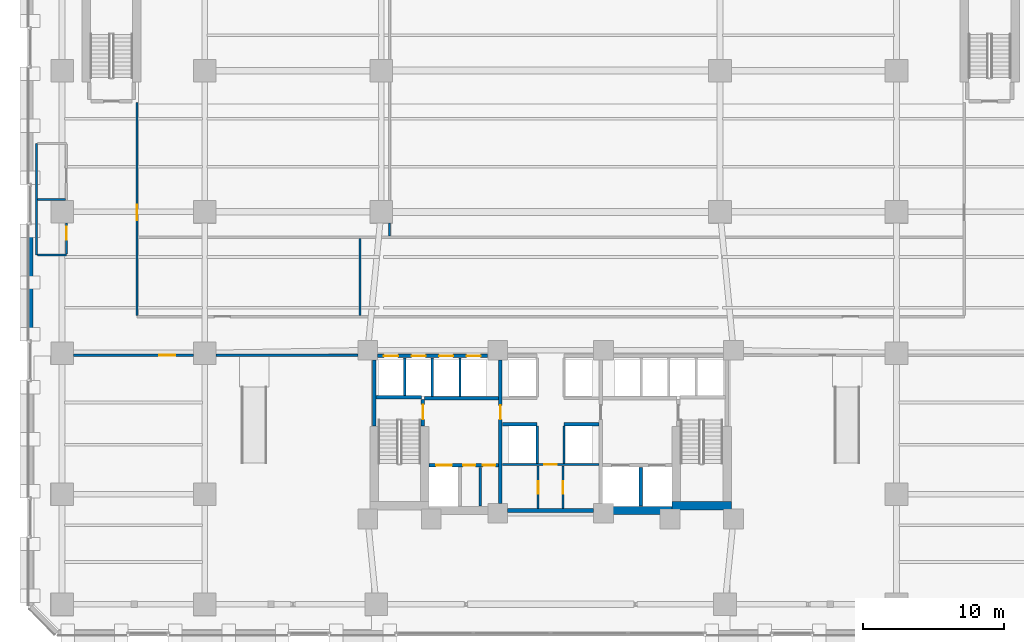
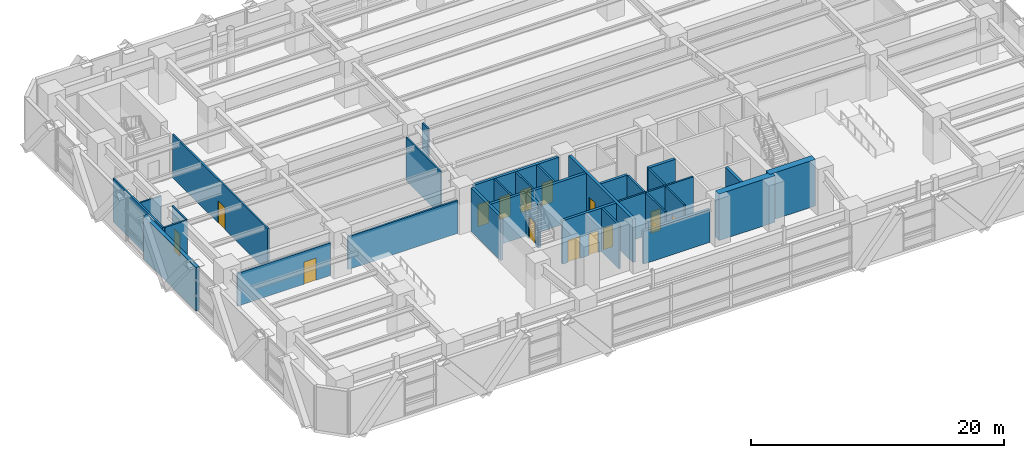
# One storey, part 14 of 26: 32 walls, 15 doors, 15 openings.
"""IFC4 building model written with IfcOpenShell, lengths in metres."""

from ifc_helpers import new_model, si_unit, direction, frame, frame_2d, origin, place, context, subcontext, project, spatial, rectangle, extrude, material, layer, layer_set, type_object, element, fill, save


model = new_model("IFC4")

# Units and contexts
model_context = context("Model", 3, precision=1e-05, world=origin(), true_north=direction((0.0, 1.0)))
body_context = subcontext(model_context, "Body", "Model", "MODEL_VIEW")
ifc_project = project(units=[si_unit("LENGTHUNIT", "METRE"), si_unit("AREAUNIT", "SQUARE_METRE"), si_unit("VOLUMEUNIT", "CUBIC_METRE"), si_unit("PLANEANGLEUNIT", "RADIAN"), si_unit("MASSUNIT", "GRAM", prefix="KILO")], contexts=[model_context])

# Site, building, storey
site_placement = place(None, origin())
site = spatial("IfcSite", under=ifc_project, at=site_placement, CompositionType="ELEMENT")
building_placement = place(site_placement, origin())
building = spatial("IfcBuilding", under=site, at=building_placement, Name="Quenlor Broadcast Tower", CompositionType="ELEMENT")
storey_placement = place(building_placement, frame((0.0, 0.0, 5.0)))
storey = spatial("IfcBuildingStorey", under=building, at=storey_placement, Name="L01", CompositionType="ELEMENT", Elevation=5.0)

# Wall, opening, door
ifc_material_1 = material(Name="Acoustic Double Stud Gypsum Partition", Category="other")
ifc_layer_1 = layer(ifc_material_1, 0.14990234375)
ifc_layer_set_1 = layer_set([ifc_layer_1], Name="Broadcast Studio Acoustic Partition 150")
wall_type_1 = type_object("IfcWallType", Name="Broadcast Studio Acoustic Partition 150", PredefinedType="PARTITIONING", material=ifc_layer_set_1)
wall_1_placement = place(storey_placement, frame((-0.8798828125, -16.02001953125, 0.0), z_axis=(0.0, 0.0, 1.0), x_axis=(0.0, 1.0, 0.0)))
wall_1 = element("IfcWall", 1, at=wall_1_placement, inside=storey, type_object=wall_type_1, Name="L01 Interior Wall CW-CSV-W3", PredefinedType="PARTITIONING", context=body_context, shape_type="SweptSolid", body=[
    extrude(rectangle(XDim=3.0380859375, YDim=0.14990234375, at=frame_2d((1.51904296875, 0.0))), origin(), (0.0, 0.0, 1.0), 4.199951171875),
])
opening_1_placement = place(wall_1_placement, frame((1.050048828125, 0.0, 0.0)))
opening_1 = element("IfcOpeningElement", 2, at=opening_1_placement, cuts=wall_1, Name="Opening ID-4", PredefinedType="OPENING", context=body_context, shape_type="SweptSolid", body=[
    extrude(rectangle(XDim=0.8798828125, YDim=2.1201171875, at=frame_2d((0.43994140625, 1.06005859375))), frame((0.0, 0.0849609375, 0.0), z_axis=(0.0, -1.0, 0.0), x_axis=(1.0, 0.0, 0.0)), (0.0, 0.0, 1.0), 0.169921875),
])
ifc_material_2 = material(Name="Solid Core Timber Oak", Category="wood")
door_type_1 = type_object("IfcDoorType", Name="Service Closet Timber Door 880x2120", OperationType="NOTDEFINED", PredefinedType="DOOR", material=ifc_material_2)
door_1_placement = place(opening_1_placement, origin())
door_1 = element("IfcDoor", 3, at=door_1_placement, inside=storey, type_object=door_type_1, Name="L01 Door DR-CSV1", OperationType="SINGLE_SWING_LEFT", OverallHeight=2.1201171875, OverallWidth=0.8798828125, PredefinedType="DOOR", context=body_context, shape_type="SweptSolid", body=[
    extrude(rectangle(XDim=0.8798828125, YDim=2.1201171875, at=frame_2d((0.43994140625, 1.06005859375))), frame((0.0, 0.02490234375, 0.0), z_axis=(0.0, -1.0, 0.0), x_axis=(1.0, 0.0, 0.0)), (0.0, 0.0, 1.0), 0.050048828125),
])
fill(opening_1, door_1)

wall_2_placement = place(storey_placement, frame((0.8798828125, -16.02001953125, 0.0), z_axis=(0.0, 0.0, 1.0), x_axis=(0.0, 1.0, 0.0)))
wall_2 = element("IfcWall", 4, at=wall_2_placement, inside=storey, type_object=wall_type_1, Name="L01 Interior Wall CW-CSV-E3", PredefinedType="PARTITIONING", context=body_context, shape_type="SweptSolid", body=[
    extrude(rectangle(XDim=3.0380859375, YDim=0.14990234375, at=frame_2d((1.51904296875, 0.0))), origin(), (0.0, 0.0, 1.0), 4.199951171875),
])
opening_2_placement = place(wall_2_placement, frame((1.050048828125, 0.0, 0.0)))
opening_2 = element("IfcOpeningElement", 5, at=opening_2_placement, cuts=wall_2, Name="Opening ID-4", PredefinedType="OPENING", context=body_context, shape_type="SweptSolid", body=[
    extrude(rectangle(XDim=0.8798828125, YDim=2.1201171875, at=frame_2d((0.43994140625, 1.06005859375))), frame((0.0, 0.0849609375, 0.0), z_axis=(0.0, -1.0, 0.0), x_axis=(1.0, 0.0, 0.0)), (0.0, 0.0, 1.0), 0.169921875),
])
door_2_placement = place(opening_2_placement, origin())
door_2 = element("IfcDoor", 6, at=door_2_placement, inside=storey, type_object=door_type_1, Name="L01 Door DR-CSV2", OperationType="SINGLE_SWING_RIGHT", OverallHeight=2.1201171875, OverallWidth=0.8798828125, PredefinedType="DOOR", context=body_context, shape_type="SweptSolid", body=[
    extrude(rectangle(XDim=0.8798828125, YDim=2.1201171875, at=frame_2d((0.43994140625, 1.06005859375))), frame((0.0, 0.02490234375, 0.0), z_axis=(0.0, -1.0, 0.0), x_axis=(1.0, 0.0, 0.0)), (0.0, 0.0, 1.0), 0.050048828125),
])
fill(opening_2, door_2)

wall_3_placement = place(storey_placement, frame((-29.300048828125, -2.337890625, 0.0), z_axis=(0.0, 0.0, 1.0), x_axis=(0.0, 1.0, 0.0)))
wall_3 = element("IfcWall", 7, at=wall_3_placement, inside=storey, type_object=wall_type_1, Name="L01 Interior Wall PW-PD-LW", PredefinedType="PARTITIONING", context=body_context, shape_type="SweptSolid", body=[
    extrude(rectangle(XDim=15.087890625, YDim=0.14990234375, at=frame_2d((7.5439453125, 0.0))), origin(), (0.0, 0.0, 1.0), 4.199951171875),
])
opening_3_placement = place(wall_3_placement, frame((6.738037109375, 0.0, 0.0)))
opening_3 = element("IfcOpeningElement", 8, at=opening_3_placement, cuts=wall_3, Name="Opening ID-2", PredefinedType="OPENING", context=body_context, shape_type="SweptSolid", body=[
    extrude(rectangle(XDim=1.10009765625, YDim=2.14990234375, at=frame_2d((0.550048828125, 1.074951171875))), frame((0.0, 0.0849609375, 0.0), z_axis=(0.0, -1.0, 0.0), x_axis=(1.0, 0.0, 0.0)), (0.0, 0.0, 1.0), 0.169921875),
])
ifc_material_3 = material(Name="Acoustic Laminated Timber Oak", Category="wood")
door_type_2 = type_object("IfcDoorType", Name="Wide Studio Acoustic Timber Door 1100x2150", OperationType="NOTDEFINED", PredefinedType="DOOR", material=ifc_material_3)
door_3_placement = place(opening_3_placement, origin())
door_3 = element("IfcDoor", 9, at=door_3_placement, inside=storey, type_object=door_type_2, Name="L01 Door DR-PD5", OperationType="SINGLE_SWING_LEFT", OverallHeight=2.14990234375, OverallWidth=1.10009765625, PredefinedType="DOOR", context=body_context, shape_type="SweptSolid", body=[
    extrude(rectangle(XDim=1.10009765625, YDim=2.14990234375, at=frame_2d((0.550048828125, 1.074951171875))), frame((0.0, 0.02490234375, 0.0), z_axis=(0.0, -1.0, 0.0), x_axis=(1.0, 0.0, 0.0)), (0.0, 0.0, 1.0), 0.050048828125),
])
fill(opening_3, door_3)

# Walls
wall_4_placement = place(storey_placement, frame((-13.5, -2.337890625, 0.0), z_axis=(0.0, 0.0, 1.0), x_axis=(0.0, 1.0, 0.0)))
element("IfcWall", 10, at=wall_4_placement, inside=storey, type_object=wall_type_1, Name="L01 Interior Wall PW-PD-VX", PredefinedType="PARTITIONING", context=body_context, shape_type="SweptSolid", body=[
    extrude(rectangle(XDim=5.4580078125, YDim=0.14990234375, at=frame_2d((2.72900390625, 0.0))), origin(), (0.0, 0.0, 1.0), 4.199951171875),
])
wall_5_placement = place(storey_placement, frame((-36.419921875, 1.949951171875, 0.0), z_axis=(0.0, 0.0, 1.0), x_axis=(0.0, 1.0, 0.0)))
element("IfcWall", 11, at=wall_5_placement, inside=storey, type_object=wall_type_1, Name="L01 Interior Wall PW-PD-WCW", PredefinedType="PARTITIONING", context=body_context, shape_type="SweptSolid", body=[
    extrude(rectangle(XDim=7.900146484375, YDim=0.14990234375, at=frame_2d((3.9501953125, 0.0))), origin(), (0.0, 0.0, 1.0), 4.199951171875),
])

# Wall, opening, door
wall_6_placement = place(storey_placement, frame((-34.280029296875, 2.010009765625, 0.0), z_axis=(0.0, 0.0, 1.0), x_axis=(0.0, 1.0, 0.0)))
wall_6 = element("IfcWall", 12, at=wall_6_placement, inside=storey, type_object=wall_type_1, Name="L01 Interior Wall PW-PD-WCE", PredefinedType="PARTITIONING", context=body_context, shape_type="SweptSolid", body=[
    extrude(rectangle(XDim=2.18798828125, YDim=0.14990234375, at=frame_2d((1.093994140625, 0.0))), origin(), (0.0, 0.0, 1.0), 4.199951171875),
])
opening_4_placement = place(wall_6_placement, frame((1.02001953125, 0.0, 0.0)))
opening_4 = element("IfcOpeningElement", 13, at=opening_4_placement, cuts=wall_6, Name="Opening ID-3", PredefinedType="OPENING", context=body_context, shape_type="SweptSolid", body=[
    extrude(rectangle(XDim=0.89990234375, YDim=2.1201171875, at=frame_2d((0.449951171875, 1.06005859375))), frame((0.0, 0.0849609375, 0.0), z_axis=(0.0, -1.0, 0.0), x_axis=(1.0, 0.0, 0.0)), (0.0, 0.0, 1.0), 0.169921875),
])
ifc_material_4 = material(Name="Moisture Resistant Timber Oak", Category="wood")
door_type_3 = type_object("IfcDoorType", Name="Washroom Privacy Door 900x2120", OperationType="NOTDEFINED", PredefinedType="DOOR", material=ifc_material_4)
door_4_placement = place(opening_4_placement, origin())
door_4 = element("IfcDoor", 14, at=door_4_placement, inside=storey, type_object=door_type_3, Name="L01 Door DR-PD-MWC", OperationType="SINGLE_SWING_LEFT", OverallHeight=2.1201171875, OverallWidth=0.89990234375, PredefinedType="DOOR", context=body_context, shape_type="SweptSolid", body=[
    extrude(rectangle(XDim=0.89990234375, YDim=2.1201171875, at=frame_2d((0.449951171875, 1.06005859375))), frame((0.0, 0.02490234375, 0.0), z_axis=(0.0, -1.0, 0.0), x_axis=(1.0, 0.0, 0.0)), (0.0, 0.0, 1.0), 0.050048828125),
])
fill(opening_4, door_4)

# Walls
wall_7_placement = place(storey_placement, frame((-36.343017578125, 5.8798828125, 0.0), z_axis=(0.0, 0.0, 1.0), x_axis=(1.0, 0.0, 0.0)))
element("IfcWall", 15, at=wall_7_placement, inside=storey, type_object=wall_type_1, Name="L01 Interior Wall PW-PD-WCM", PredefinedType="PARTITIONING", context=body_context, shape_type="SweptSolid", body=[
    extrude(rectangle(XDim=1.986083984375, YDim=0.14990234375, at=frame_2d((0.9931640625, 0.0))), origin(), (0.0, 0.0, 1.0), 4.199951171875),
])
wall_8_placement = place(storey_placement, frame((-36.343017578125, 1.949951171875, 0.0), z_axis=(0.0, 0.0, 1.0), x_axis=(1.0, 0.0, 0.0)))
element("IfcWall", 16, at=wall_8_placement, inside=storey, type_object=wall_type_1, Name="L01 Interior Wall PW-PD-WCS", PredefinedType="PARTITIONING", context=body_context, shape_type="SweptSolid", body=[
    extrude(rectangle(XDim=2.06298828125, YDim=0.14990234375, at=frame_2d((1.031494140625, 0.0))), origin(), (0.0, 0.0, 1.0), 4.199951171875),
])
wall_9_placement = place(storey_placement, frame((-11.39990234375, 3.280029296875, 0.0), z_axis=(0.0, 0.0, 1.0), x_axis=(0.0, 1.0, 0.0)))
element("IfcWall", 17, at=wall_9_placement, inside=storey, type_object=wall_type_1, Name="L01 Interior Wall PW-PD-VX2", PredefinedType="PARTITIONING", context=body_context, shape_type="SweptSolid", body=[
    extrude(rectangle(XDim=0.91796875, YDim=0.14990234375, at=frame_2d((0.458984375, 0.0))), origin(), (0.0, 0.0, 1.0), 4.199951171875),
])
ifc_material_5 = material(Name="Concrete C65/80", Category="concrete")
ifc_layer_2 = layer(ifc_material_5, 0.60009765625)
ifc_layer_set_2 = layer_set([ifc_layer_2], Name="Core Concrete C65/80 Shear Wall 600")
wall_type_2 = type_object("IfcWallType", Name="Core Concrete C65/80 Shear Wall 600", PredefinedType="SHEAR", material=ifc_layer_set_2)
wall_10_placement = place(storey_placement, frame((3.75, -16.14990234375, 0.0), z_axis=(0.0, 0.0, 1.0), x_axis=(1.0, 0.0, 0.0)))
element("IfcWall", 18, at=wall_10_placement, inside=storey, type_object=wall_type_2, Name="L01 Core Shear Wall WS-E1", PredefinedType="SHEAR", context=body_context, shape_type="SweptSolid", body=[
    extrude(rectangle(XDim=5.14990234375, YDim=0.60009765625, at=frame_2d((2.574951171875, 0.0))), origin(), (0.0, 0.0, 1.0), 4.5),
])
wall_11_placement = place(storey_placement, frame((8.60009765625, -15.800048828125, 0.0), z_axis=(0.0, 0.0, 1.0), x_axis=(1.0, 0.0, 0.0)))
element("IfcWall", 19, at=wall_11_placement, inside=storey, type_object=wall_type_2, Name="L01 Core Shear Wall WS-E2", PredefinedType="SHEAR", context=body_context, shape_type="SweptSolid", body=[
    extrude(rectangle(XDim=4.199951171875, YDim=0.60009765625, at=frame_2d((2.10009765625, 0.0))), origin(), (0.0, 0.0, 1.0), 4.5),
])

# Wall, opening, door
ifc_material_6 = material(Name="Concrete C40/50", Category="concrete")
ifc_layer_3 = layer(ifc_material_6, 0.25)
ifc_layer_set_3 = layer_set([ifc_layer_3], Name="Fire Rated Concrete C40/50 Core Wall 250")
wall_type_3 = type_object("IfcWallType", Name="Fire Rated Concrete C40/50 Core Wall 250", PredefinedType="PARTITIONING", material=ifc_layer_set_3)
wall_12_placement = place(storey_placement, frame((-9.0400390625, -10.179931640625, 0.0), z_axis=(0.0, 0.0, 1.0), x_axis=(0.0, 1.0, 0.0)))
wall_12 = element("IfcWall", 20, at=wall_12_placement, inside=storey, type_object=wall_type_3, Name="L01 Interior Wall CW-ST1-DR", PredefinedType="PARTITIONING", context=body_context, shape_type="SweptSolid", body=[
    extrude(rectangle(XDim=1.89990234375, YDim=0.25, at=frame_2d((0.949951171875, 0.0))), origin(), (0.0, 0.0, 1.0), 4.199951171875),
])
opening_5_placement = place(wall_12_placement, frame((0.47998046875, 0.0, 0.0)))
opening_5 = element("IfcOpeningElement", 21, at=opening_5_placement, cuts=wall_12, Name="Opening FD-1", PredefinedType="OPENING", context=body_context, shape_type="SweptSolid", body=[
    extrude(rectangle(XDim=1.050048828125, YDim=2.14990234375, at=frame_2d((0.52490234375, 1.074951171875))), frame((0.0, 0.135009765625, 0.0), z_axis=(0.0, -1.0, 0.0), x_axis=(1.0, 0.0, 0.0)), (0.0, 0.0, 1.0), 0.27001953125),
])
ifc_material_7 = material(Name="Fire Rated Steel Door Leaf", Category="steel")
door_type_4 = type_object("IfcDoorType", Name="Fire Isolated Stair Door 1050x2150", OperationType="NOTDEFINED", PredefinedType="DOOR", material=ifc_material_7)
door_5_placement = place(opening_5_placement, origin())
door_5 = element("IfcDoor", 22, at=door_5_placement, inside=storey, type_object=door_type_4, Name="L01 Door DR-ST1", OperationType="SINGLE_SWING_LEFT", OverallHeight=2.14990234375, OverallWidth=1.050048828125, PredefinedType="DOOR", context=body_context, shape_type="SweptSolid", body=[
    extrude(rectangle(XDim=1.050048828125, YDim=2.14990234375, at=frame_2d((0.52490234375, 1.074951171875))), frame((0.0, 0.02490234375, 0.0), z_axis=(0.0, -1.0, 0.0), x_axis=(1.0, 0.0, 0.0)), (0.0, 0.0, 1.0), 0.050048828125),
])
fill(opening_5, door_5)

# Walls
wall_13_placement = place(storey_placement, frame((-12.3798828125, -8.1201171875, 0.0), z_axis=(0.0, 0.0, 1.0), x_axis=(1.0, 0.0, 0.0)))
element("IfcWall", 23, at=wall_13_placement, inside=storey, type_object=wall_type_3, Name="L01 Interior Wall CW-ST1-N", PredefinedType="PARTITIONING", context=body_context, shape_type="SweptSolid", body=[
    extrude(rectangle(XDim=3.219970703125, YDim=0.25, at=frame_2d((1.60986328125, 0.0))), origin(), (0.0, 0.0, 1.0), 4.199951171875),
])
wall_14_placement = place(storey_placement, frame((-12.47998046875, -10.179931640625, 0.0), z_axis=(0.0, 0.0, 1.0), x_axis=(0.0, 1.0, 0.0)))
element("IfcWall", 24, at=wall_14_placement, inside=storey, type_object=wall_type_3, Name="L01 Interior Wall CW-ST1-W2", PredefinedType="PARTITIONING", context=body_context, shape_type="SweptSolid", body=[
    extrude(rectangle(XDim=4.677978515625, YDim=0.25, at=frame_2d((2.3388671875, 0.0))), origin(), (0.0, 0.0, 1.0), 4.199951171875),
])

# Wall, openings, doors
wall_15_placement = place(storey_placement, frame((-8.597900390625, -12.949951171875, 0.0), z_axis=(0.0, 0.0, 1.0), x_axis=(1.0, 0.0, 0.0)))
wall_15 = element("IfcWall", 25, at=wall_15_placement, inside=storey, type_object=wall_type_3, Name="L01 Interior Wall CW-FFW-S", PredefinedType="PARTITIONING", context=body_context, shape_type="SweptSolid", body=[
    extrude(rectangle(XDim=4.91796875, YDim=0.25, at=frame_2d((2.458984375, 0.0))), origin(), (0.0, 0.0, 1.0), 4.199951171875),
])
opening_6_placement = place(wall_15_placement, frame((0.498046875, 0.0, 0.0)))
opening_6 = element("IfcOpeningElement", 26, at=opening_6_placement, cuts=wall_15, Name="Opening LD-FFL-1", PredefinedType="OPENING", context=body_context, shape_type="SweptSolid", body=[
    extrude(rectangle(XDim=1.10009765625, YDim=2.14990234375, at=frame_2d((0.550048828125, 1.074951171875))), frame((0.0, 0.135009765625, 0.0), z_axis=(0.0, -1.0, 0.0), x_axis=(1.0, 0.0, 0.0)), (0.0, 0.0, 1.0), 0.27001953125),
])
opening_7_placement = place(wall_15_placement, frame((2.39794921875, 0.0, 0.0)))
opening_7 = element("IfcOpeningElement", 27, at=opening_7_placement, cuts=wall_15, Name="Opening TD-1", PredefinedType="OPENING", context=body_context, shape_type="SweptSolid", body=[
    extrude(rectangle(XDim=0.8798828125, YDim=2.10009765625, at=frame_2d((0.43994140625, 1.050048828125))), frame((0.0, 0.135009765625, 0.0), z_axis=(0.0, -1.0, 0.0), x_axis=(1.0, 0.0, 0.0)), (0.0, 0.0, 1.0), 0.27001953125),
])
opening_8_placement = place(wall_15_placement, frame((3.798095703125, 0.0, 0.0)))
opening_8 = element("IfcOpeningElement", 28, at=opening_8_placement, cuts=wall_15, Name="Opening TD-1", PredefinedType="OPENING", context=body_context, shape_type="SweptSolid", body=[
    extrude(rectangle(XDim=0.8798828125, YDim=2.10009765625, at=frame_2d((0.43994140625, 1.050048828125))), frame((0.0, 0.135009765625, 0.0), z_axis=(0.0, -1.0, 0.0), x_axis=(1.0, 0.0, 0.0)), (0.0, 0.0, 1.0), 0.27001953125),
])
ifc_material_8 = material(Name="Brushed Stainless Steel", Category="steel")
door_type_5 = type_object("IfcDoorType", Name="Emergency Lift Sliding Landing Door 1100x2150", OperationType="NOTDEFINED", PredefinedType="DOOR", material=ifc_material_8)
door_6_placement = place(opening_6_placement, origin())
door_6 = element("IfcDoor", 29, at=door_6_placement, inside=storey, type_object=door_type_5, Name="L01 Door LD-FFL-1", OperationType="SLIDING_TO_LEFT", OverallHeight=2.14990234375, OverallWidth=1.10009765625, PredefinedType="DOOR", context=body_context, shape_type="SweptSolid", body=[
    extrude(rectangle(XDim=1.10009765625, YDim=2.14990234375, at=frame_2d((0.550048828125, 1.074951171875))), frame((0.0, 0.02490234375, 0.0), z_axis=(0.0, -1.0, 0.0), x_axis=(1.0, 0.0, 0.0)), (0.0, 0.0, 1.0), 0.050048828125),
])
fill(opening_6, door_6)
ifc_material_9 = material(Name="Fire Rated Steel Access Panel", Category="steel")
door_type_6 = type_object("IfcDoorType", Name="Riser Shaft Rated Access Trapdoor 880x2100", OperationType="NOTDEFINED", PredefinedType="TRAPDOOR", material=ifc_material_9)
door_7_placement = place(opening_7_placement, origin())
door_7 = element("IfcDoor", 30, at=door_7_placement, inside=storey, type_object=door_type_6, Name="L01 Door DR-ELR", OperationType="SINGLE_SWING_LEFT", OverallHeight=2.10009765625, OverallWidth=0.8798828125, PredefinedType="TRAPDOOR", context=body_context, shape_type="SweptSolid", body=[
    extrude(rectangle(XDim=0.8798828125, YDim=2.10009765625, at=frame_2d((0.43994140625, 1.050048828125))), frame((0.0, 0.02490234375, 0.0), z_axis=(0.0, -1.0, 0.0), x_axis=(1.0, 0.0, 0.0)), (0.0, 0.0, 1.0), 0.050048828125),
])
fill(opening_7, door_7)
door_8_placement = place(opening_8_placement, origin())
door_8 = element("IfcDoor", 31, at=door_8_placement, inside=storey, type_object=door_type_6, Name="L01 Door DR-CMR", OperationType="SINGLE_SWING_RIGHT", OverallHeight=2.10009765625, OverallWidth=0.8798828125, PredefinedType="TRAPDOOR", context=body_context, shape_type="SweptSolid", body=[
    extrude(rectangle(XDim=0.8798828125, YDim=2.10009765625, at=frame_2d((0.43994140625, 1.050048828125))), frame((0.0, 0.02490234375, 0.0), z_axis=(0.0, -1.0, 0.0), x_axis=(1.0, 0.0, 0.0)), (0.0, 0.0, 1.0), 0.050048828125),
])
fill(opening_8, door_8)

# Walls
wall_16_placement = place(storey_placement, frame((6.39990234375, -15.847900390625, 0.0), z_axis=(0.0, 0.0, 1.0), x_axis=(0.0, 1.0, 0.0)))
element("IfcWall", 32, at=wall_16_placement, inside=storey, type_object=wall_type_3, Name="L01 Interior Wall CW-SV1-E", PredefinedType="PARTITIONING", context=body_context, shape_type="SweptSolid", body=[
    extrude(rectangle(XDim=2.7578125, YDim=0.25, at=frame_2d((1.37890625, 0.0))), origin(), (0.0, 0.0, 1.0), 4.199951171875),
])
wall_17_placement = place(storey_placement, frame((-8.919921875, -8.199951171875, 0.0), z_axis=(0.0, 0.0, 1.0), x_axis=(1.0, 0.0, 0.0)))
element("IfcWall", 33, at=wall_17_placement, inside=storey, type_object=wall_type_3, Name="L01 Interior Wall CW-FFW-N", PredefinedType="PARTITIONING", context=body_context, shape_type="SweptSolid", body=[
    extrude(rectangle(XDim=5.239990234375, YDim=0.25, at=frame_2d((2.6201171875, 0.0))), origin(), (0.0, 0.0, 1.0), 4.199951171875),
])

# Wall, opening, door
wall_18_placement = place(storey_placement, frame((-3.550048828125, -15.64794921875, 0.0), z_axis=(0.0, 0.0, 1.0), x_axis=(0.0, 1.0, 0.0)))
wall_18 = element("IfcWall", 34, at=wall_18_placement, inside=storey, type_object=wall_type_3, Name="L01 Interior Wall CW-FFW-E", PredefinedType="PARTITIONING", context=body_context, shape_type="SweptSolid", body=[
    extrude(rectangle(XDim=10.14599609375, YDim=0.25, at=frame_2d((5.072998046875, 0.0))), origin(), (0.0, 0.0, 1.0), 4.199951171875),
])
opening_9_placement = place(wall_18_placement, frame((5.947998046875, 0.0, 0.0)))
opening_9 = element("IfcOpeningElement", 35, at=opening_9_placement, cuts=wall_18, Name="Opening FD-2", PredefinedType="OPENING", context=body_context, shape_type="SweptSolid", body=[
    extrude(rectangle(XDim=1.0, YDim=2.14990234375, at=frame_2d((0.5, 1.074951171875))), frame((0.0, 0.135009765625, 0.0), z_axis=(0.0, -1.0, 0.0), x_axis=(1.0, 0.0, 0.0)), (0.0, 0.0, 1.0), 0.27001953125),
])
ifc_material_10 = material(Name="Fire Rated Glazed Steel Door", Category="steel")
door_type_7 = type_object("IfcDoorType", Name="Firefighting Lobby Smoke Door 1000x2150", OperationType="NOTDEFINED", PredefinedType="DOOR", material=ifc_material_10)
door_9_placement = place(opening_9_placement, origin())
door_9 = element("IfcDoor", 36, at=door_9_placement, inside=storey, type_object=door_type_7, Name="L01 Door DR-FFLW", OperationType="SINGLE_SWING_RIGHT", OverallHeight=2.14990234375, OverallWidth=1.0, PredefinedType="DOOR", context=body_context, shape_type="SweptSolid", body=[
    extrude(rectangle(XDim=1.0, YDim=2.14990234375, at=frame_2d((0.5, 1.074951171875))), frame((0.0, 0.02490234375, 0.0), z_axis=(0.0, -1.0, 0.0), x_axis=(1.0, 0.0, 0.0)), (0.0, 0.0, 1.0), 0.050048828125),
])
fill(opening_9, door_9)

# Wall, openings, doors
wall_19_placement = place(storey_placement, frame((-12.248046875, -5.199951171875, 0.0), z_axis=(0.0, 0.0, 1.0), x_axis=(1.0, 0.0, 0.0)))
wall_19 = element("IfcWall", 37, at=wall_19_placement, inside=storey, type_object=wall_type_3, Name="L01 Interior Wall CW-N-W", PredefinedType="PARTITIONING", context=body_context, shape_type="SweptSolid", body=[
    extrude(rectangle(XDim=7.796142578125, YDim=0.25, at=frame_2d((3.89794921875, 0.0))), origin(), (0.0, 0.0, 1.0), 4.199951171875),
])
opening_10_placement = place(wall_19_placement, frame((0.447998046875, 0.0, 0.0)))
opening_10 = element("IfcOpeningElement", 38, at=opening_10_placement, cuts=wall_19, Name="Opening LD-PL-L1", PredefinedType="OPENING", context=body_context, shape_type="SweptSolid", body=[
    extrude(rectangle(XDim=1.0, YDim=2.14990234375, at=frame_2d((0.5, 1.074951171875))), frame((0.0, 0.135009765625, 0.0), z_axis=(0.0, -1.0, 0.0), x_axis=(1.0, 0.0, 0.0)), (0.0, 0.0, 1.0), 0.27001953125),
])
opening_11_placement = place(wall_19_placement, frame((2.39794921875, 0.0, 0.0)))
opening_11 = element("IfcOpeningElement", 39, at=opening_11_placement, cuts=wall_19, Name="Opening LD-PL-L2", PredefinedType="OPENING", context=body_context, shape_type="SweptSolid", body=[
    extrude(rectangle(XDim=1.0, YDim=2.14990234375, at=frame_2d((0.5, 1.074951171875))), frame((0.0, 0.135009765625, 0.0), z_axis=(0.0, -1.0, 0.0), x_axis=(1.0, 0.0, 0.0)), (0.0, 0.0, 1.0), 0.27001953125),
])
opening_12_placement = place(wall_19_placement, frame((4.347900390625, 0.0, 0.0)))
opening_12 = element("IfcOpeningElement", 40, at=opening_12_placement, cuts=wall_19, Name="Opening LD-PL-L3", PredefinedType="OPENING", context=body_context, shape_type="SweptSolid", body=[
    extrude(rectangle(XDim=1.0, YDim=2.14990234375, at=frame_2d((0.5, 1.074951171875))), frame((0.0, 0.135009765625, 0.0), z_axis=(0.0, -1.0, 0.0), x_axis=(1.0, 0.0, 0.0)), (0.0, 0.0, 1.0), 0.27001953125),
])
opening_13_placement = place(wall_19_placement, frame((6.298095703125, 0.0, 0.0)))
opening_13 = element("IfcOpeningElement", 41, at=opening_13_placement, cuts=wall_19, Name="Opening LD-PL-L4", PredefinedType="OPENING", context=body_context, shape_type="SweptSolid", body=[
    extrude(rectangle(XDim=1.0, YDim=2.14990234375, at=frame_2d((0.5, 1.074951171875))), frame((0.0, 0.135009765625, 0.0), z_axis=(0.0, -1.0, 0.0), x_axis=(1.0, 0.0, 0.0)), (0.0, 0.0, 1.0), 0.27001953125),
])
ifc_material_11 = material(Name="Brushed Stainless Steel", Category="steel")
door_type_8 = type_object("IfcDoorType", Name="Passenger Lift Sliding Landing Door 1000x2150", OperationType="NOTDEFINED", PredefinedType="DOOR", material=ifc_material_11)
door_10_placement = place(opening_10_placement, origin())
door_10 = element("IfcDoor", 42, at=door_10_placement, inside=storey, type_object=door_type_8, Name="L01 Door LD-PL-L1", OperationType="SLIDING_TO_LEFT", OverallHeight=2.14990234375, OverallWidth=1.0, PredefinedType="DOOR", context=body_context, shape_type="SweptSolid", body=[
    extrude(rectangle(XDim=1.0, YDim=2.14990234375, at=frame_2d((0.5, 1.074951171875))), frame((0.0, 0.02490234375, 0.0), z_axis=(0.0, -1.0, 0.0), x_axis=(1.0, 0.0, 0.0)), (0.0, 0.0, 1.0), 0.050048828125),
])
fill(opening_10, door_10)
door_11_placement = place(opening_11_placement, origin())
door_11 = element("IfcDoor", 43, at=door_11_placement, inside=storey, type_object=door_type_8, Name="L01 Door LD-PL-L2", OperationType="SLIDING_TO_LEFT", OverallHeight=2.14990234375, OverallWidth=1.0, PredefinedType="DOOR", context=body_context, shape_type="SweptSolid", body=[
    extrude(rectangle(XDim=1.0, YDim=2.14990234375, at=frame_2d((0.5, 1.074951171875))), frame((0.0, 0.02490234375, 0.0), z_axis=(0.0, -1.0, 0.0), x_axis=(1.0, 0.0, 0.0)), (0.0, 0.0, 1.0), 0.050048828125),
])
fill(opening_11, door_11)
door_12_placement = place(opening_12_placement, origin())
door_12 = element("IfcDoor", 44, at=door_12_placement, inside=storey, type_object=door_type_8, Name="L01 Door LD-PL-L3", OperationType="SLIDING_TO_LEFT", OverallHeight=2.14990234375, OverallWidth=1.0, PredefinedType="DOOR", context=body_context, shape_type="SweptSolid", body=[
    extrude(rectangle(XDim=1.0, YDim=2.14990234375, at=frame_2d((0.5, 1.074951171875))), frame((0.0, 0.02490234375, 0.0), z_axis=(0.0, -1.0, 0.0), x_axis=(1.0, 0.0, 0.0)), (0.0, 0.0, 1.0), 0.050048828125),
])
fill(opening_12, door_12)
door_13_placement = place(opening_13_placement, origin())
door_13 = element("IfcDoor", 45, at=door_13_placement, inside=storey, type_object=door_type_8, Name="L01 Door LD-PL-L4", OperationType="SLIDING_TO_LEFT", OverallHeight=2.14990234375, OverallWidth=1.0, PredefinedType="DOOR", context=body_context, shape_type="SweptSolid", body=[
    extrude(rectangle(XDim=1.0, YDim=2.14990234375, at=frame_2d((0.5, 1.074951171875))), frame((0.0, 0.02490234375, 0.0), z_axis=(0.0, -1.0, 0.0), x_axis=(1.0, 0.0, 0.0)), (0.0, 0.0, 1.0), 0.050048828125),
])
fill(opening_13, door_13)

# Walls
wall_20_placement = place(storey_placement, frame((-3.048095703125, -16.14990234375, 0.0), z_axis=(0.0, 0.0, 1.0), x_axis=(1.0, 0.0, 0.0)))
element("IfcWall", 46, at=wall_20_placement, inside=storey, type_object=wall_type_3, Name="L01 Interior Wall CW-MS-S", PredefinedType="PARTITIONING", context=body_context, shape_type="SweptSolid", body=[
    extrude(rectangle(XDim=6.09619140625, YDim=0.25, at=frame_2d((3.048095703125, 0.0))), origin(), (0.0, 0.0, 1.0), 3.176025390625),
])
for number, where, z_axis, x_axis, name in (
    (47, (-3.419921875, -10.050048828125, 0.0), (0.0, 0.0, 1.0), (1.0, 0.0, 0.0), "L01 Interior Wall CW-MS-N1"),
    (48, (0.949951171875, -10.050048828125, 0.0), (0.0, 0.0, 1.0), (1.0, 0.0, 0.0), "L01 Interior Wall CW-MS-N2"),
):
    element("IfcWall", number, at=place(storey_placement, frame(where, z_axis=z_axis, x_axis=x_axis)), inside=storey, type_object=wall_type_3, Name=name, PredefinedType="PARTITIONING", context=body_context, shape_type="SweptSolid", body=[
        extrude(rectangle(XDim=2.469970703125, YDim=0.25, at=frame_2d((1.23486328125, 0.0))), origin(), (0.0, 0.0, 1.0), 4.199951171875),
    ])
ifc_material_12 = material(Name="Gypsum Fireboard Partition", Category="other")
ifc_layer_4 = layer(ifc_material_12, 0.159912109375)
ifc_layer_set_4 = layer_set([ifc_layer_4], Name="Fire Rated Shaft and Corridor Partition 160")
wall_type_4 = type_object("IfcWallType", Name="Fire Rated Shaft and Corridor Partition 160", PredefinedType="PARTITIONING", material=ifc_layer_set_4)
wall_21_placement = place(storey_placement, frame((-4.97998046875, -15.847900390625, 0.0), z_axis=(0.0, 0.0, 1.0), x_axis=(0.0, 1.0, 0.0)))
element("IfcWall", 49, at=wall_21_placement, inside=storey, type_object=wall_type_4, Name="L01 Interior Wall CW-ELR-E", PredefinedType="PARTITIONING", context=body_context, shape_type="SweptSolid", body=[
    extrude(rectangle(XDim=2.7578125, YDim=0.159912109375, at=frame_2d((1.37890625, 0.0))), origin(), (0.0, 0.0, 1.0), 4.199951171875),
])
wall_22_placement = place(storey_placement, frame((-10.324951171875, -7.992919921875, 0.0), z_axis=(0.0, 0.0, 1.0), x_axis=(0.0, 1.0, 0.0)))
element("IfcWall", 50, at=wall_22_placement, inside=storey, type_object=wall_type_4, Name="L01 Interior Wall CW-PLL-D1", PredefinedType="PARTITIONING", context=body_context, shape_type="SweptSolid", body=[
    extrude(rectangle(XDim=2.65283203125, YDim=0.159912109375, at=frame_2d((1.326416015625, 0.0))), origin(), (0.0, 0.0, 1.0), 4.199951171875),
])
for number, where, z_axis, x_axis, name in (
    (51, (-8.375, -8.072998046875, 0.0), (0.0, 0.0, 1.0), (0.0, 1.0, 0.0), "L01 Interior Wall CW-PLL-D2"),
    (52, (-6.425048828125, -8.072998046875, 0.0), (0.0, 0.0, 1.0), (0.0, 1.0, 0.0), "L01 Interior Wall CW-PLL-D3"),
):
    element("IfcWall", number, at=place(storey_placement, frame(where, z_axis=z_axis, x_axis=x_axis)), inside=storey, type_object=wall_type_4, Name=name, PredefinedType="PARTITIONING", context=body_context, shape_type="SweptSolid", body=[
        extrude(rectangle(XDim=2.73291015625, YDim=0.159912109375, at=frame_2d((1.366455078125, 0.0))), origin(), (0.0, 0.0, 1.0), 4.199951171875),
    ])

# Wall, opening, door
wall_23_placement = place(storey_placement, frame((-3.419921875, -12.89990234375, 0.0), z_axis=(0.0, 0.0, 1.0), x_axis=(1.0, 0.0, 0.0)))
wall_23 = element("IfcWall", 53, at=wall_23_placement, inside=storey, type_object=wall_type_4, Name="L01 Interior Wall CW-MS-B", PredefinedType="PARTITIONING", context=body_context, shape_type="SweptSolid", body=[
    extrude(rectangle(XDim=6.83984375, YDim=0.159912109375, at=frame_2d((3.419921875, 0.0))), origin(), (0.0, 0.0, 1.0), 4.199951171875),
])
opening_14_placement = place(wall_23_placement, frame((2.97998046875, 0.0, 0.0)))
opening_14 = element("IfcOpeningElement", 54, at=opening_14_placement, cuts=wall_23, Name="Opening ID-4", PredefinedType="OPENING", context=body_context, shape_type="SweptSolid", body=[
    extrude(rectangle(XDim=0.8798828125, YDim=2.1201171875, at=frame_2d((0.43994140625, 1.06005859375))), frame((0.0, 0.08984375, 0.0), z_axis=(0.0, -1.0, 0.0), x_axis=(1.0, 0.0, 0.0)), (0.0, 0.0, 1.0), 0.179931640625),
])
door_14_placement = place(opening_14_placement, origin())
door_14 = element("IfcDoor", 55, at=door_14_placement, inside=storey, type_object=door_type_1, Name="L01 Door DR-CSV0", OperationType="SINGLE_SWING_LEFT", OverallHeight=2.1201171875, OverallWidth=0.8798828125, PredefinedType="DOOR", context=body_context, shape_type="SweptSolid", body=[
    extrude(rectangle(XDim=0.8798828125, YDim=2.1201171875, at=frame_2d((0.43994140625, 1.06005859375))), frame((0.0, 0.02490234375, 0.0), z_axis=(0.0, -1.0, 0.0), x_axis=(1.0, 0.0, 0.0)), (0.0, 0.0, 1.0), 0.050048828125),
])
fill(opening_14, door_14)

# Walls
for number, where, z_axis, x_axis, name in (
    (56, (-0.949951171875, -12.818115234375, 0.0), (0.0, 0.0, 1.0), (0.0, 1.0, 0.0), "L01 Interior Wall CW-MS-W"),
    (57, (0.949951171875, -12.818115234375, 0.0), (0.0, 0.0, 1.0), (0.0, 1.0, 0.0), "L01 Interior Wall CW-MS-E"),
):
    element("IfcWall", number, at=place(storey_placement, frame(where, z_axis=z_axis, x_axis=x_axis)), inside=storey, type_object=wall_type_4, Name=name, PredefinedType="PARTITIONING", context=body_context, shape_type="SweptSolid", body=[
        extrude(rectangle(XDim=2.63818359375, YDim=0.159912109375, at=frame_2d((1.319091796875, 0.0))), origin(), (0.0, 0.0, 1.0), 4.199951171875),
    ])

# Wall, opening, door
wall_24_placement = place(storey_placement, frame((-33.798095703125, -5.14990234375, 0.0), z_axis=(0.0, 0.0, 1.0), x_axis=(1.0, 0.0, 0.0)))
wall_24 = element("IfcWall", 58, at=wall_24_placement, inside=storey, type_object=wall_type_4, Name="L01 Interior Wall PW-PD-CSW", PredefinedType="PARTITIONING", context=body_context, shape_type="SweptSolid", body=[
    extrude(rectangle(XDim=8.49609375, YDim=0.159912109375, at=frame_2d((4.248046875, 0.0))), origin(), (0.0, 0.0, 1.0), 3.176025390625),
])
opening_15_placement = place(wall_24_placement, frame((6.097900390625, 0.0, 0.0)))
opening_15 = element("IfcOpeningElement", 59, at=opening_15_placement, cuts=wall_24, Name="Opening ID-2", PredefinedType="OPENING", context=body_context, shape_type="SweptSolid", body=[
    extrude(rectangle(XDim=1.10009765625, YDim=2.14990234375, at=frame_2d((0.550048828125, 1.074951171875))), frame((0.0, 0.08984375, 0.0), z_axis=(0.0, -1.0, 0.0), x_axis=(1.0, 0.0, 0.0)), (0.0, 0.0, 1.0), 0.179931640625),
])
door_15_placement = place(opening_15_placement, origin())
door_15 = element("IfcDoor", 60, at=door_15_placement, inside=storey, type_object=door_type_2, Name="L01 Door DR-PD1", OperationType="SINGLE_SWING_LEFT", OverallHeight=2.14990234375, OverallWidth=1.10009765625, PredefinedType="DOOR", context=body_context, shape_type="SweptSolid", body=[
    extrude(rectangle(XDim=1.10009765625, YDim=2.14990234375, at=frame_2d((0.550048828125, 1.074951171875))), frame((0.0, 0.02490234375, 0.0), z_axis=(0.0, -1.0, 0.0), x_axis=(1.0, 0.0, 0.0)), (0.0, 0.0, 1.0), 0.050048828125),
])
fill(opening_15, door_15)

# Walls
wall_25_placement = place(storey_placement, frame((-23.697998046875, -5.14990234375, 0.0), z_axis=(0.0, 0.0, 1.0), x_axis=(1.0, 0.0, 0.0)))
element("IfcWall", 61, at=wall_25_placement, inside=storey, type_object=wall_type_4, Name="L01 Interior Wall PW-PD-CSWS2", PredefinedType="PARTITIONING", context=body_context, shape_type="SweptSolid", body=[
    extrude(rectangle(XDim=10.0458984375, YDim=0.159912109375, at=frame_2d((5.02294921875, 0.0))), origin(), (0.0, 0.0, 1.0), 3.176025390625),
])
ifc_material_13 = material(Name="Precast concrete C40/50", Category="concrete")
ifc_layer_5 = layer(ifc_material_13, 0.320068359375)
ifc_layer_set_5 = layer_set([ifc_layer_5], Name="Station Podium Precast Concrete C40/50 Facade Wall 320")
wall_type_5 = type_object("IfcWallType", Name="Station Podium Precast Concrete C40/50 Facade Wall 320", PredefinedType="STANDARD", material=ifc_layer_set_5)
wall_26_placement = place(storey_placement, frame((-36.820068359375, -4.152587890625, 0.0), z_axis=(0.0, 0.0, 1.0), x_axis=(0.0, 1.0, 0.0)))
element("IfcWall", 62, at=wall_26_placement, inside=storey, type_object=wall_type_5, Name="L01 Exterior Wall L01-W-FULL-SP3", PredefinedType="STANDARD", context=body_context, shape_type="SweptSolid", body=[
    extrude(rectangle(XDim=8.30517578125, YDim=0.320068359375, at=frame_2d((4.152587890625, 0.0))), origin(), (0.0, 0.0, 1.0), 4.199951171875),
])

save(model, "model.ifc")
